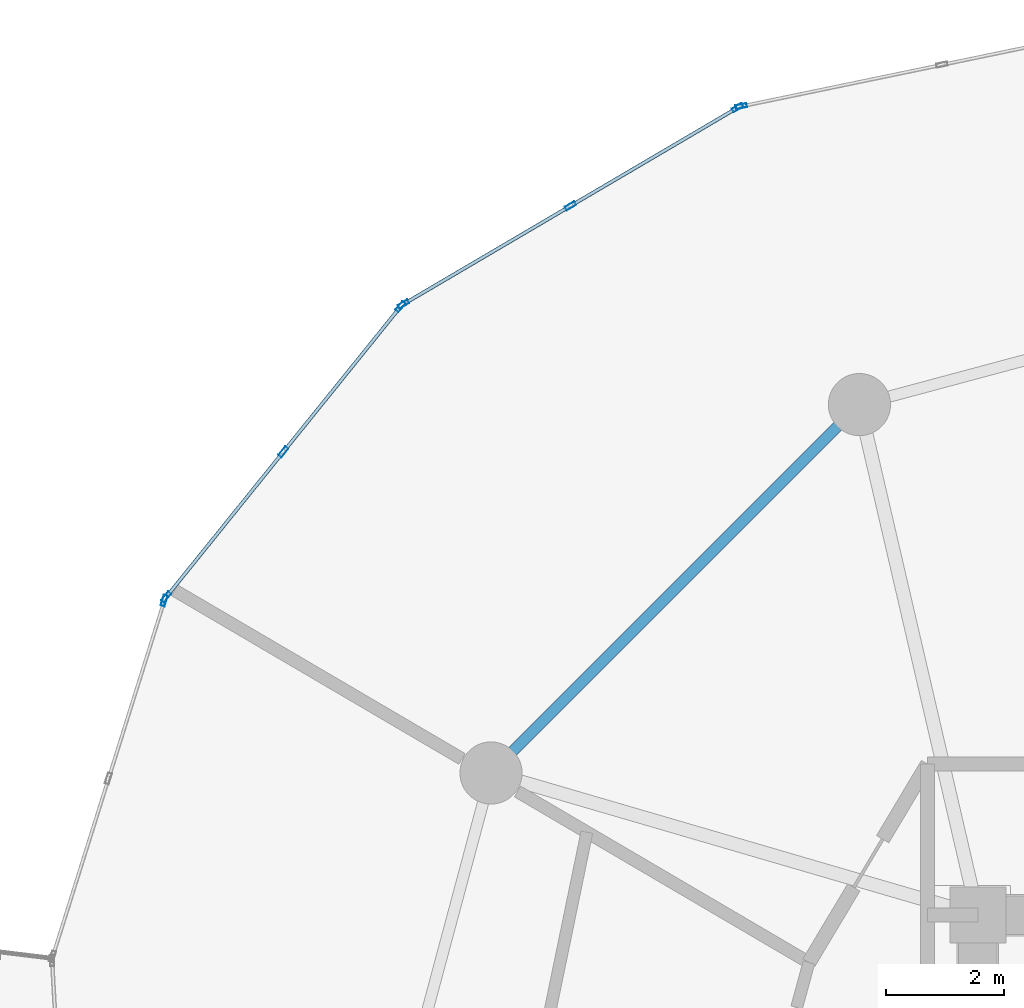
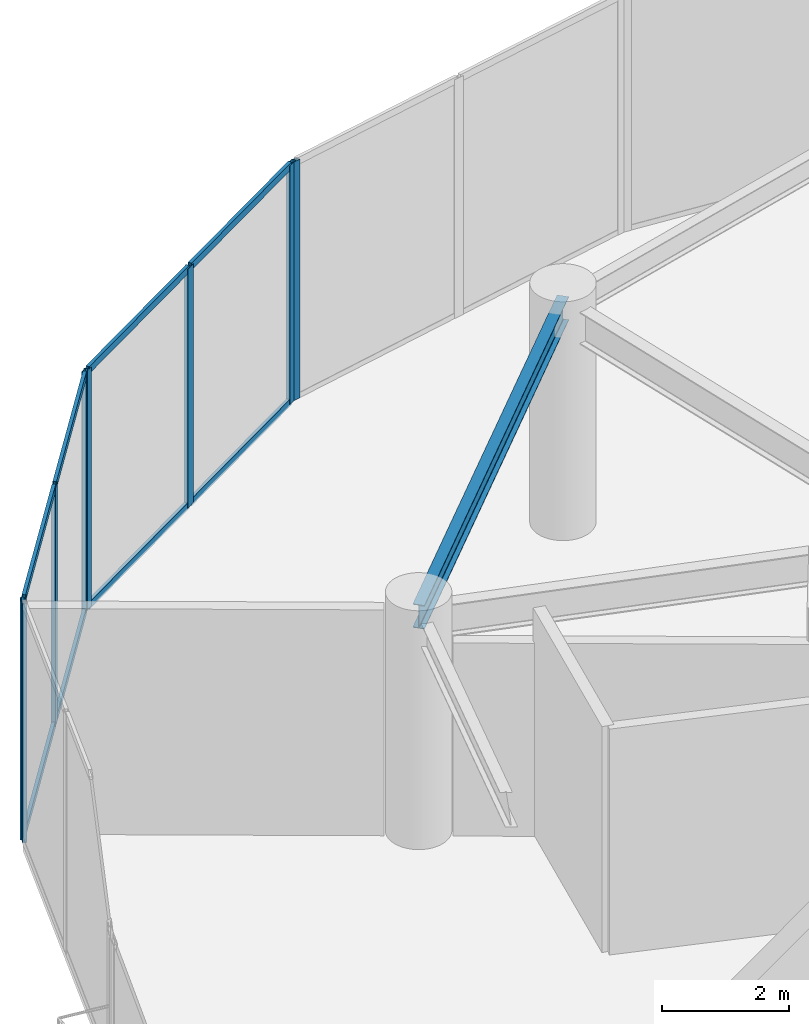
# One storey, part 18 of 28: 16 members, 1 beam, 4 elements without a shape of their own.
"""IFC4 building model written with IfcOpenShell, lengths in metres."""

from ifc_helpers import new_model, si_unit, direction, frame, origin, origin_2d, place, context, subcontext, project, spatial, hollow_rectangle, i_section, extrude, source, transform, mapped, material, layer, layer_set, material_profile, profile_set, type_object, element, aggregate, save


model = new_model("IFC4")

# Units and contexts
model_context = context("Model", 3, precision=1e-05, world=origin(), true_north=direction((0.0, 1.0)))
body_context = subcontext(model_context, "Body", "Model", "MODEL_VIEW")
ifc_project = project(units=[si_unit("LENGTHUNIT", "METRE"), si_unit("AREAUNIT", "SQUARE_METRE"), si_unit("VOLUMEUNIT", "CUBIC_METRE"), si_unit("PLANEANGLEUNIT", "RADIAN"), si_unit("MASSUNIT", "GRAM", prefix="KILO")], contexts=[model_context])

# Site, building, storey
site_placement = place(None, origin())
site = spatial("IfcSite", under=ifc_project, at=site_placement, CompositionType="ELEMENT")
building_placement = place(site_placement, origin())
building = spatial("IfcBuilding", under=site, at=building_placement, Name="Solvirekh Grand Hotel", CompositionType="ELEMENT")
storey_placement = place(building_placement, frame((0.0, 0.0, 98.0)))
storey = spatial("IfcBuildingStorey", under=building, at=storey_placement, Name="L24", CompositionType="ELEMENT", Elevation=98.0)

# Beam
ifc_material_1 = material(Name="Steel S355", Category="steel")
ifc_material_profile_1 = material_profile(ifc_material_1, i_section(OverallWidth=0.18994140625, OverallDepth=0.45703125, WebThickness=0.009033203125, FlangeThickness=0.013916015625, FilletRadius=0.012939453125, at=origin_2d()), Name="W460X74")
ifc_profile_set_1 = profile_set([ifc_material_profile_1], Name="Steel S355")
beam_type = type_object("IfcBeamType", Name="Spandrel_Ring_W460", PredefinedType="SPANDREL", material=ifc_profile_set_1)
beam_placement = place(storey_placement, frame((-8.5, 14.721923828125, 4.12109375), z_axis=(-0.707106781187, -0.707106781187, 0.0), x_axis=(0.707106781187, -0.707106781187, 0.0)))
element("IfcBeam", 1, at=beam_placement, inside=storey, type_object=beam_type, Name="L24 perimeter spandrel beam 5", PredefinedType="SPANDREL", context=body_context, shape_type="SweptSolid", body=[
    extrude(i_section(OverallWidth=0.18994140625, OverallDepth=0.45703125, WebThickness=0.009033203125, FlangeThickness=0.013916015625, FilletRadius=0.012939453125, at=origin_2d()), origin(), (0.0, 0.0, 1.0), 8.799072265625),
])

# Curtain wall, member
ifc_material_2 = material(Name="Anodized Bronze Aluminium 6063-T6", Category="aluminium")
ifc_layer = layer(ifc_material_2, 0.18994140625)
ifc_layer_set = layer_set([ifc_layer], Name="Anodized Bronze Aluminium 6063-T6")
curtain_wall_type = type_object("IfcCurtainWallType", Name="CW_Sys5_SkyLobbyPanoramaCW", PredefinedType="NOTDEFINED", material=ifc_layer_set)
curtain_wall_1_placement = place(storey_placement, origin())
curtain_wall_1 = element("IfcCurtainWall", 2, at=curtain_wall_1_placement, inside=storey, type_object=curtain_wall_type, Name="L24 unitised bronze-glass curtain wall CW-L24-C08", PredefinedType="NOTDEFINED")
ifc_material_profile_2 = material_profile(ifc_material_2, hollow_rectangle(XDim=0.070068359375, YDim=0.18994140625, WallThickness=0.0048828125, at=origin_2d()), Name="ALU RHS 190X70X5")
ifc_profile_set_2 = profile_set([ifc_material_profile_2], Name="Anodized Bronze Aluminium 6063-T6")
member_type_1 = type_object("IfcMemberType", Name="CWMullion_Sys5", PredefinedType="MULLION", material=ifc_profile_set_2)
shared_shape_1 = source(origin(), body_context, "Body", "SweptSolid", [
    extrude(hollow_rectangle(XDim=0.070068359375, YDim=0.18994140625, WallThickness=0.0048828125, at=origin_2d()), origin(), (0.0, 0.0, 1.0), 4.60009765625),
])
member_1_placement = place(storey_placement, frame((-10.49462890625, 19.760009765625, 0.0), z_axis=(0.0, 0.0, 1.0), x_axis=(0.202742807709, -0.979232022517, 0.0)))
member_1 = element("IfcMember", 3, at=member_1_placement, type_object=member_type_1, Name="U05 mullion 3", PredefinedType="MULLION", context=body_context, shape_type="MappedRepresentation", body=[
    mapped(shared_shape_1, transform((0.0, 0.0, 0.0), x_axis=(1.0, 0.0, 0.0), y_axis=(0.0, 1.0, 0.0), z_axis=(0.0, 0.0, 1.0), scale=1.0)),
])
aggregate(curtain_wall_1, [member_1])

# Curtain wall, members
curtain_wall_2_placement = place(storey_placement, origin())
curtain_wall_2 = element("IfcCurtainWall", 4, at=curtain_wall_2_placement, inside=storey, type_object=curtain_wall_type, Name="L24 unitised bronze-glass curtain wall CW-L24-C09", PredefinedType="NOTDEFINED")
member_2_placement = place(storey_placement, frame((-10.55908203125, 19.7353515625, 0.0), z_axis=(0.0, 0.0, 1.0), x_axis=(0.506848307194, -0.862035262327, 0.0)))
member_2 = element("IfcMember", 5, at=member_2_placement, type_object=member_type_1, Name="U05 mullion 1", PredefinedType="MULLION", context=body_context, shape_type="MappedRepresentation", body=[
    mapped(shared_shape_1, transform((0.0, 0.0, 0.0), x_axis=(1.0, 0.0, 0.0), y_axis=(0.0, 1.0, 0.0), z_axis=(0.0, 0.0, 1.0), scale=1.0)),
])
member_3_placement = place(storey_placement, frame((-13.37939453125, 18.076904296875, 0.0), z_axis=(0.0, 0.0, 1.0), x_axis=(0.506848307194, -0.862035262327, 0.0)))
member_3 = element("IfcMember", 6, at=member_3_placement, type_object=member_type_1, Name="U05 mullion 2", PredefinedType="MULLION", context=body_context, shape_type="MappedRepresentation", body=[
    mapped(shared_shape_1, transform((0.0, 0.0, 0.0), x_axis=(1.0, 0.0, 0.0), y_axis=(0.0, 1.0, 0.0), z_axis=(0.0, 0.0, 1.0), scale=1.0)),
])
member_4_placement = place(storey_placement, frame((-16.19970703125, 16.418701171875, 0.0), z_axis=(0.0, 0.0, 1.0), x_axis=(0.506848307194, -0.862035262327, 0.0)))
member_4 = element("IfcMember", 7, at=member_4_placement, type_object=member_type_1, Name="U05 mullion 3", PredefinedType="MULLION", context=body_context, shape_type="MappedRepresentation", body=[
    mapped(shared_shape_1, transform((0.0, 0.0, 0.0), x_axis=(1.0, 0.0, 0.0), y_axis=(0.0, 1.0, 0.0), z_axis=(0.0, 0.0, 1.0), scale=1.0)),
])

curtain_wall_3_placement = place(storey_placement, origin())
curtain_wall_3 = element("IfcCurtainWall", 8, at=curtain_wall_3_placement, inside=storey, type_object=curtain_wall_type, Name="L24 unitised bronze-glass curtain wall CW-L24-C10", PredefinedType="NOTDEFINED")
member_5_placement = place(storey_placement, frame((-16.251953125, 16.373779296875, 0.0), z_axis=(0.0, 0.0, 1.0), x_axis=(0.778227402159, -0.627982571835, 0.0)))
member_5 = element("IfcMember", 9, at=member_5_placement, type_object=member_type_1, Name="U05 mullion 1", PredefinedType="MULLION", context=body_context, shape_type="MappedRepresentation", body=[
    mapped(shared_shape_1, transform((0.0, 0.0, 0.0), x_axis=(1.0, 0.0, 0.0), y_axis=(0.0, 1.0, 0.0), z_axis=(0.0, 0.0, 1.0), scale=1.0)),
])
member_6_placement = place(storey_placement, frame((-18.22998046875, 13.922607421875, 0.0), z_axis=(0.0, 0.0, 1.0), x_axis=(0.778227402159, -0.627982571835, 0.0)))
member_6 = element("IfcMember", 10, at=member_6_placement, type_object=member_type_1, Name="U05 mullion 2", PredefinedType="MULLION", context=body_context, shape_type="MappedRepresentation", body=[
    mapped(shared_shape_1, transform((0.0, 0.0, 0.0), x_axis=(1.0, 0.0, 0.0), y_axis=(0.0, 1.0, 0.0), z_axis=(0.0, 0.0, 1.0), scale=1.0)),
])
member_7_placement = place(storey_placement, frame((-20.2080078125, 11.47119140625, 0.0), z_axis=(0.0, 0.0, 1.0), x_axis=(0.778227402159, -0.627982571835, 0.0)))
member_7 = element("IfcMember", 11, at=member_7_placement, type_object=member_type_1, Name="U05 mullion 3", PredefinedType="MULLION", context=body_context, shape_type="MappedRepresentation", body=[
    mapped(shared_shape_1, transform((0.0, 0.0, 0.0), x_axis=(1.0, 0.0, 0.0), y_axis=(0.0, 1.0, 0.0), z_axis=(0.0, 0.0, 1.0), scale=1.0)),
])

# Curtain wall, member
curtain_wall_4_placement = place(storey_placement, origin())
curtain_wall_4 = element("IfcCurtainWall", 12, at=curtain_wall_4_placement, inside=storey, type_object=curtain_wall_type, Name="L24 unitised bronze-glass curtain wall CW-L24-C11", PredefinedType="NOTDEFINED")
member_8_placement = place(storey_placement, frame((-20.240478515625, 11.41064453125, 0.0), z_axis=(0.0, 0.0, 1.0), x_axis=(0.95416934707, -0.299267200193, 0.0)))
member_8 = element("IfcMember", 13, at=member_8_placement, type_object=member_type_1, Name="U05 mullion 1", PredefinedType="MULLION", context=body_context, shape_type="MappedRepresentation", body=[
    mapped(shared_shape_1, transform((0.0, 0.0, 0.0), x_axis=(1.0, 0.0, 0.0), y_axis=(0.0, 1.0, 0.0), z_axis=(0.0, 0.0, 1.0), scale=1.0)),
])
aggregate(curtain_wall_4, [member_8])

# Member
ifc_material_profile_3 = material_profile(ifc_material_2, hollow_rectangle(XDim=0.06005859375, YDim=0.135009765625, WallThickness=0.00390625, at=origin_2d()), Name="ALU RHS 135X60X4")
ifc_profile_set_3 = profile_set([ifc_material_profile_3], Name="Anodized Bronze Aluminium 6063-T6")
member_type_2 = type_object("IfcMemberType", Name="CWTransom_Sys5", PredefinedType="USERDEFINED", material=ifc_profile_set_3)
shared_shape_2 = source(origin(), body_context, "Body", "SweptSolid", [
    extrude(hollow_rectangle(XDim=0.06005859375, YDim=0.135009765625, WallThickness=0.00390625, at=origin_2d()), origin(), (0.0, 0.0, 1.0), 3.20166015625),
])
member_9_placement = place(storey_placement, frame((-10.58935546875, 19.717529296875, 0.030029296875), z_axis=(-0.862034169507, -0.50685016583, 0.0), x_axis=(0.50685016583, -0.862034169507, 0.0)))
member_9 = element("IfcMember", 14, at=member_9_placement, type_object=member_type_2, Name="U05 transom 1.1", ObjectType="TRANSOM", PredefinedType="USERDEFINED", context=body_context, shape_type="MappedRepresentation", body=[
    mapped(shared_shape_2, transform((0.0, 0.0, 0.0), x_axis=(1.0, 0.0, 0.0), y_axis=(0.0, 1.0, 0.0), z_axis=(0.0, 0.0, 1.0), scale=1.0)),
])

member_10_placement = place(storey_placement, frame((-10.58935546875, 19.717529296875, 4.570068359375), z_axis=(-0.862034169507, -0.50685016583, 0.0), x_axis=(0.50685016583, -0.862034169507, 0.0)))
member_10 = element("IfcMember", 15, at=member_10_placement, type_object=member_type_2, Name="U05 transom 1.2", ObjectType="TRANSOM", PredefinedType="USERDEFINED", context=body_context, shape_type="MappedRepresentation", body=[
    mapped(shared_shape_2, transform((0.0, 0.0, 0.0), x_axis=(1.0, 0.0, 0.0), y_axis=(0.0, 1.0, 0.0), z_axis=(0.0, 0.0, 1.0), scale=1.0)),
])

member_11_placement = place(storey_placement, frame((-13.40966796875, 18.059326171875, 0.030029296875), z_axis=(-0.862034169507, -0.50685016583, 0.0), x_axis=(0.50685016583, -0.862034169507, 0.0)))
member_11 = element("IfcMember", 16, at=member_11_placement, type_object=member_type_2, Name="U05 transom 2.1", ObjectType="TRANSOM", PredefinedType="USERDEFINED", context=body_context, shape_type="MappedRepresentation", body=[
    mapped(shared_shape_2, transform((0.0, 0.0, 0.0), x_axis=(1.0, 0.0, 0.0), y_axis=(0.0, 1.0, 0.0), z_axis=(0.0, 0.0, 1.0), scale=1.0)),
])

member_12_placement = place(storey_placement, frame((-13.40966796875, 18.059326171875, 4.570068359375), z_axis=(-0.862034169507, -0.50685016583, 0.0), x_axis=(0.50685016583, -0.862034169507, 0.0)))
member_12 = element("IfcMember", 17, at=member_12_placement, type_object=member_type_2, Name="U05 transom 2.2", ObjectType="TRANSOM", PredefinedType="USERDEFINED", context=body_context, shape_type="MappedRepresentation", body=[
    mapped(shared_shape_2, transform((0.0, 0.0, 0.0), x_axis=(1.0, 0.0, 0.0), y_axis=(0.0, 1.0, 0.0), z_axis=(0.0, 0.0, 1.0), scale=1.0)),
])

aggregate(curtain_wall_2, [member_2, member_3, member_4, member_9, member_10, member_11, member_12])

shared_shape_3 = source(origin(), body_context, "Body", "SweptSolid", [
    extrude(hollow_rectangle(XDim=0.06005859375, YDim=0.135009765625, WallThickness=0.00390625, at=origin_2d()), origin(), (0.0, 0.0, 1.0), 3.079833984375),
])
member_13_placement = place(storey_placement, frame((-16.27392578125, 16.346435546875, 0.030029296875), z_axis=(-0.627995685735, -0.778216819851, 0.0), x_axis=(0.778216819851, -0.627995685735, 0.0)))
member_13 = element("IfcMember", 18, at=member_13_placement, type_object=member_type_2, Name="U05 transom 1.1", ObjectType="TRANSOM", PredefinedType="USERDEFINED", context=body_context, shape_type="MappedRepresentation", body=[
    mapped(shared_shape_3, transform((0.0, 0.0, 0.0), x_axis=(1.0, 0.0, 0.0), y_axis=(0.0, 1.0, 0.0), z_axis=(0.0, 0.0, 1.0), scale=1.0)),
])

member_14_placement = place(storey_placement, frame((-16.27392578125, 16.346435546875, 4.570068359375), z_axis=(-0.627995685735, -0.778216819851, 0.0), x_axis=(0.778216819851, -0.627995685735, 0.0)))
member_14 = element("IfcMember", 19, at=member_14_placement, type_object=member_type_2, Name="U05 transom 1.2", ObjectType="TRANSOM", PredefinedType="USERDEFINED", context=body_context, shape_type="MappedRepresentation", body=[
    mapped(shared_shape_3, transform((0.0, 0.0, 0.0), x_axis=(1.0, 0.0, 0.0), y_axis=(0.0, 1.0, 0.0), z_axis=(0.0, 0.0, 1.0), scale=1.0)),
])

member_15_placement = place(storey_placement, frame((-18.251953125, 13.895263671875, 0.030029296875), z_axis=(-0.627995685735, -0.778216819851, 0.0), x_axis=(0.778216819851, -0.627995685735, 0.0)))
member_15 = element("IfcMember", 20, at=member_15_placement, type_object=member_type_2, Name="U05 transom 2.1", ObjectType="TRANSOM", PredefinedType="USERDEFINED", context=body_context, shape_type="MappedRepresentation", body=[
    mapped(shared_shape_3, transform((0.0, 0.0, 0.0), x_axis=(1.0, 0.0, 0.0), y_axis=(0.0, 1.0, 0.0), z_axis=(0.0, 0.0, 1.0), scale=1.0)),
])

member_16_placement = place(storey_placement, frame((-18.251953125, 13.895263671875, 4.570068359375), z_axis=(-0.627995685735, -0.778216819851, 0.0), x_axis=(0.778216819851, -0.627995685735, 0.0)))
member_16 = element("IfcMember", 21, at=member_16_placement, type_object=member_type_2, Name="U05 transom 2.2", ObjectType="TRANSOM", PredefinedType="USERDEFINED", context=body_context, shape_type="MappedRepresentation", body=[
    mapped(shared_shape_3, transform((0.0, 0.0, 0.0), x_axis=(1.0, 0.0, 0.0), y_axis=(0.0, 1.0, 0.0), z_axis=(0.0, 0.0, 1.0), scale=1.0)),
])

aggregate(curtain_wall_3, [member_5, member_6, member_7, member_13, member_14, member_15, member_16])

save(model, "model.ifc")
